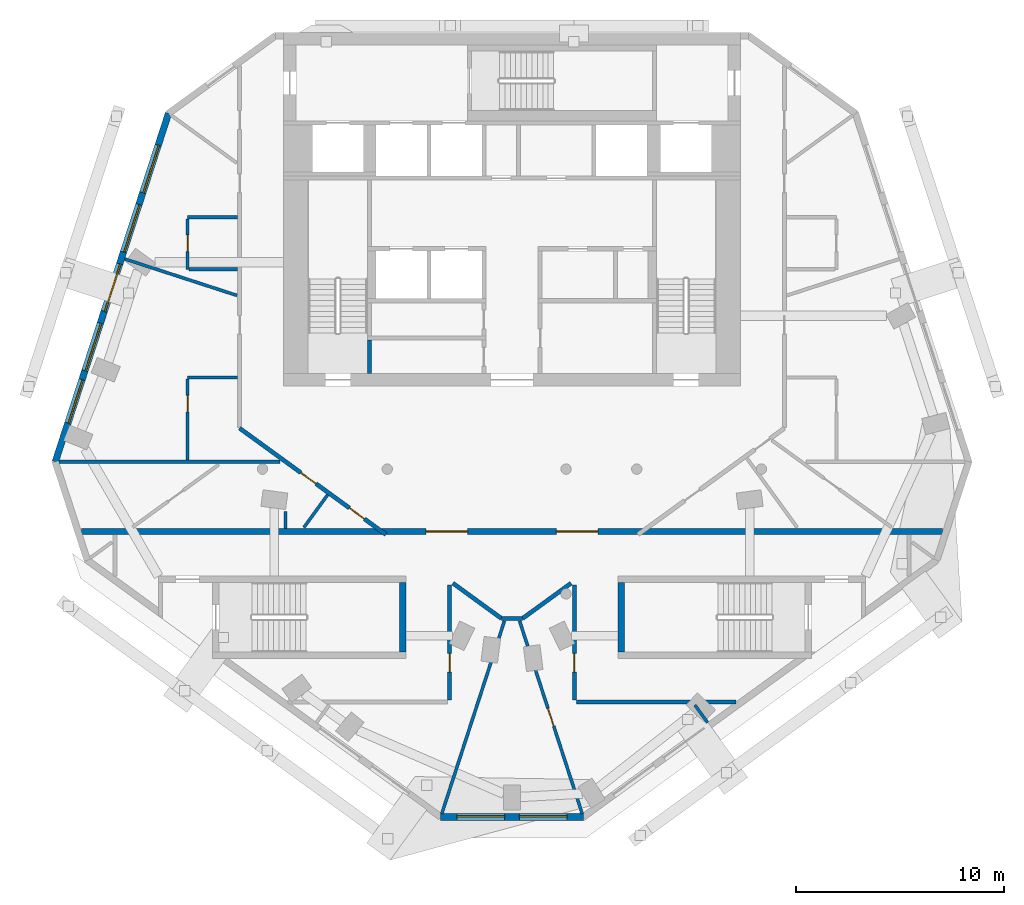
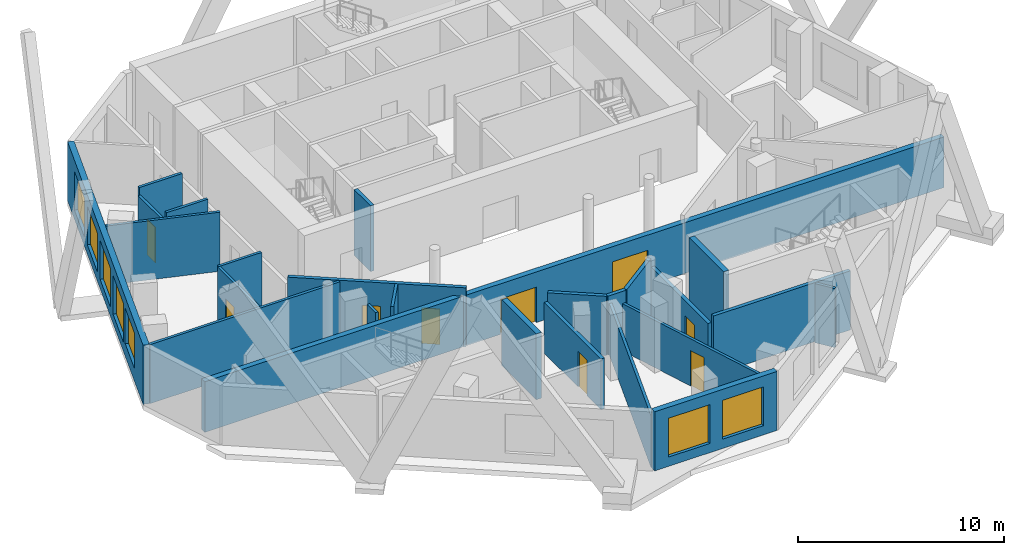
# One storey, part 3 of 8: 25 walls, 9 doors, 7 windows, 16 openings.
"""IFC4 building model written with IfcOpenShell, lengths in metres."""

from ifc_helpers import new_model, si_unit, direction, frame, frame_2d, origin, place, context, subcontext, project, spatial, rectangle, extrude, material, layer, layer_set, type_object, element, fill, save


model = new_model("IFC4")

# Units and contexts
model_context = context("Model", 3, precision=1e-05, world=origin(), true_north=direction((0.0, 1.0)))
body_context = subcontext(model_context, "Body", "Model", "MODEL_VIEW")
ifc_project = project(units=[si_unit("LENGTHUNIT", "METRE"), si_unit("AREAUNIT", "SQUARE_METRE"), si_unit("VOLUMEUNIT", "CUBIC_METRE"), si_unit("PLANEANGLEUNIT", "RADIAN"), si_unit("MASSUNIT", "GRAM", prefix="KILO")], contexts=[model_context])

# Site, building, storey
site_placement = place(None, origin())
site = spatial("IfcSite", under=ifc_project, at=site_placement, CompositionType="ELEMENT")
building_placement = place(site_placement, origin())
building = spatial("IfcBuilding", under=site, at=building_placement, Name="White Candle Pilgrim Tower", CompositionType="ELEMENT")
storey_placement = place(building_placement, frame((0.0, 0.0, 317.800048828125)))
storey = spatial("IfcBuildingStorey", under=building, at=storey_placement, Name="L75", CompositionType="ELEMENT", Elevation=317.800048828125)

# Wall, openings, doors
ifc_material_1 = material(Name="Gypsum board on steel studs", Category="steel")
ifc_layer_1 = layer(ifc_material_1, 0.199951171875)
ifc_layer_set_1 = layer_set([ifc_layer_1], Name="Corridor wall 200 mm EI 45")
wall_type_1 = type_object("IfcWallType", Name="Corridor wall 200 mm EI 45", PredefinedType="PARTITIONING", material=ifc_layer_set_1)
wall_1_placement = place(storey_placement, frame((63.94287109375, 63.85009765625, 0.0), z_axis=(0.0, 0.0, 1.0), x_axis=(-0.809024626779, 0.587774747046, 0.0)))
wall_1 = element("IfcWall", 1, at=wall_1_placement, inside=storey, type_object=wall_type_1, Name="WL-L75-P002", PredefinedType="PARTITIONING", context=body_context, shape_type="SweptSolid", body=[
    extrude(rectangle(XDim=8.705322265625, YDim=0.199951171875, at=frame_2d((4.3525390625, 0.0))), origin(), (0.0, 0.0, 1.0), 3.5),
])
opening_1_placement = place(wall_1_placement, frame((4.167236328125, 0.0, 0.0)))
opening_1 = element("IfcOpeningElement", 2, at=opening_1_placement, cuts=wall_1, Name="Opening T23-117", PredefinedType="OPENING", context=body_context, shape_type="SweptSolid", body=[
    extrude(rectangle(XDim=0.89990234375, YDim=2.10009765625, at=frame_2d((0.449951171875, 1.050048828125))), frame((0.0, 0.10986328125, 0.0), z_axis=(0.0, -1.0, 0.0), x_axis=(1.0, 0.0, 0.0)), (0.0, 0.0, 1.0), 0.219970703125),
])
opening_2_placement = place(wall_1_placement, frame((1.27880859375, 0.0, 0.0)))
opening_2 = element("IfcOpeningElement", 3, at=opening_2_placement, cuts=wall_1, Name="Opening T23-119", PredefinedType="OPENING", context=body_context, shape_type="SweptSolid", body=[
    extrude(rectangle(XDim=0.89990234375, YDim=2.10009765625, at=frame_2d((0.449951171875, 1.050048828125))), frame((0.0, 0.10986328125, 0.0), z_axis=(0.0, -1.0, 0.0), x_axis=(1.0, 0.0, 0.0)), (0.0, 0.0, 1.0), 0.219970703125),
])
ifc_material_2 = material(Name="Steel door leaf", Category="steel")
door_type_1 = type_object("IfcDoorType", Name="Fire door 900 x 2100 EI 30", OperationType="NOTDEFINED", PredefinedType="DOOR", material=ifc_material_2)
door_1_placement = place(opening_1_placement, origin())
door_1 = element("IfcDoor", 4, at=door_1_placement, inside=storey, type_object=door_type_1, Name="Door T23-117", OperationType="SINGLE_SWING_LEFT", OverallHeight=2.10009765625, OverallWidth=0.89990234375, PredefinedType="DOOR", context=body_context, shape_type="SweptSolid", body=[
    extrude(rectangle(XDim=0.89990234375, YDim=2.10009765625, at=frame_2d((0.449951171875, 1.050048828125))), frame((0.0, 0.02490234375, 0.0), z_axis=(0.0, -1.0, 0.0), x_axis=(1.0, 0.0, 0.0)), (0.0, 0.0, 1.0), 0.050048828125),
])
fill(opening_1, door_1)
door_2_placement = place(opening_2_placement, origin())
door_2 = element("IfcDoor", 5, at=door_2_placement, inside=storey, type_object=door_type_1, Name="Door T23-119", OperationType="SINGLE_SWING_LEFT", OverallHeight=2.10009765625, OverallWidth=0.89990234375, PredefinedType="DOOR", context=body_context, shape_type="SweptSolid", body=[
    extrude(rectangle(XDim=0.89990234375, YDim=2.10009765625, at=frame_2d((0.449951171875, 1.050048828125))), frame((0.0, 0.02490234375, 0.0), z_axis=(0.0, -1.0, 0.0), x_axis=(1.0, 0.0, 0.0)), (0.0, 0.0, 1.0), 0.050048828125),
])
fill(opening_2, door_2)

# Wall
wall_2_placement = place(storey_placement, frame((80.765380859375, 55.800048828125, 0.0), z_axis=(0.0, 0.0, 1.0), x_axis=(-1.0, 0.0, 0.0)))
element("IfcWall", 6, at=wall_2_placement, inside=storey, type_object=wall_type_1, Name="WL-L75-P007", PredefinedType="PARTITIONING", context=body_context, shape_type="SweptSolid", body=[
    extrude(rectangle(XDim=7.665283203125, YDim=0.199951171875, at=frame_2d((3.83251953125, 0.0))), origin(), (0.0, 0.0, 1.0), 3.5),
])

# Wall, opening, door
wall_3_placement = place(storey_placement, frame((73.0, 55.89990234375, 0.0), z_axis=(0.0, 0.0, 1.0), x_axis=(0.0, 1.0, 0.0)))
wall_3 = element("IfcWall", 7, at=wall_3_placement, inside=storey, type_object=wall_type_1, Name="WL-L75-P008", PredefinedType="PARTITIONING", context=body_context, shape_type="SweptSolid", body=[
    extrude(rectangle(XDim=5.53271484375, YDim=0.199951171875, at=frame_2d((2.766357421875, 0.0))), origin(), (0.0, 0.0, 1.0), 3.0),
])
opening_3_placement = place(wall_3_placement, frame((1.339599609375, 0.0, 0.0)))
opening_3 = element("IfcOpeningElement", 8, at=opening_3_placement, cuts=wall_3, Name="Opening T23-104", PredefinedType="OPENING", context=body_context, shape_type="SweptSolid", body=[
    extrude(rectangle(XDim=0.89990234375, YDim=2.10009765625, at=frame_2d((0.449951171875, 1.050048828125))), frame((0.0, 0.10986328125, 0.0), z_axis=(0.0, -1.0, 0.0), x_axis=(1.0, 0.0, 0.0)), (0.0, 0.0, 1.0), 0.219970703125),
])
door_3_placement = place(opening_3_placement, origin())
door_3 = element("IfcDoor", 9, at=door_3_placement, inside=storey, type_object=door_type_1, Name="Door T23-104", OperationType="SINGLE_SWING_RIGHT", OverallHeight=2.10009765625, OverallWidth=0.89990234375, PredefinedType="DOOR", context=body_context, shape_type="SweptSolid", body=[
    extrude(rectangle(XDim=0.89990234375, YDim=2.10009765625, at=frame_2d((0.449951171875, 1.050048828125))), frame((0.0, 0.02490234375, 0.0), z_axis=(0.0, -1.0, 0.0), x_axis=(1.0, 0.0, 0.0)), (0.0, 0.0, 1.0), 0.050048828125),
])
fill(opening_3, door_3)

# Walls
wall_4_placement = place(storey_placement, frame((72.84130859375, 61.513671875, 0.0), z_axis=(0.0, 0.0, 1.0), x_axis=(-0.809007107695, -0.5877988599, 0.0)))
element("IfcWall", 10, at=wall_4_placement, inside=storey, type_object=wall_type_1, Name="WL-L75-P009", PredefinedType="PARTITIONING", context=body_context, shape_type="SweptSolid", body=[
    extrude(rectangle(XDim=2.881591796875, YDim=0.199951171875, at=frame_2d((1.44091796875, 0.0))), origin(), (0.0, 0.0, 1.0), 3.5),
])
wall_5_placement = place(storey_placement, frame((70.510009765625, 59.81982421875, 0.0), z_axis=(0.0, 0.0, 1.0), x_axis=(-1.0, 0.0, 0.0)))
element("IfcWall", 11, at=wall_5_placement, inside=storey, type_object=wall_type_1, Name="WL-L75-P010", PredefinedType="PARTITIONING", context=body_context, shape_type="SweptSolid", body=[
    extrude(rectangle(XDim=1.02001953125, YDim=0.199951171875, at=frame_2d((0.510009765625, 0.0))), origin(), (0.0, 0.0, 1.0), 3.5),
])
wall_6_placement = place(storey_placement, frame((69.489990234375, 59.81982421875, 0.0), z_axis=(0.0, 0.0, 1.0), x_axis=(-0.809007107695, 0.5877988599, 0.0)))
element("IfcWall", 12, at=wall_6_placement, inside=storey, type_object=wall_type_1, Name="WL-L75-P011", PredefinedType="PARTITIONING", context=body_context, shape_type="SweptSolid", body=[
    extrude(rectangle(XDim=2.881591796875, YDim=0.199951171875, at=frame_2d((1.44091796875, 0.0))), origin(), (0.0, 0.0, 1.0), 3.5),
])

# Wall, opening, door
wall_7_placement = place(storey_placement, frame((67.0, 61.4326171875, 0.0), z_axis=(0.0, 0.0, 1.0), x_axis=(0.0, -1.0, 0.0)))
wall_7 = element("IfcWall", 13, at=wall_7_placement, inside=storey, type_object=wall_type_1, Name="WL-L75-P012", PredefinedType="PARTITIONING", context=body_context, shape_type="SweptSolid", body=[
    extrude(rectangle(XDim=5.53271484375, YDim=0.199951171875, at=frame_2d((2.766357421875, 0.0))), origin(), (0.0, 0.0, 1.0), 3.0),
])
opening_4_placement = place(wall_7_placement, frame((3.293212890625, 0.0, 0.0)))
opening_4 = element("IfcOpeningElement", 14, at=opening_4_placement, cuts=wall_7, Name="Opening T23-103", PredefinedType="OPENING", context=body_context, shape_type="SweptSolid", body=[
    extrude(rectangle(XDim=0.89990234375, YDim=2.10009765625, at=frame_2d((0.449951171875, 1.050048828125))), frame((0.0, 0.10986328125, 0.0), z_axis=(0.0, -1.0, 0.0), x_axis=(1.0, 0.0, 0.0)), (0.0, 0.0, 1.0), 0.219970703125),
])
door_4_placement = place(opening_4_placement, origin())
door_4 = element("IfcDoor", 15, at=door_4_placement, inside=storey, type_object=door_type_1, Name="Door T23-103", OperationType="SINGLE_SWING_LEFT", OverallHeight=2.10009765625, OverallWidth=0.89990234375, PredefinedType="DOOR", context=body_context, shape_type="SweptSolid", body=[
    extrude(rectangle(XDim=0.89990234375, YDim=2.10009765625, at=frame_2d((0.449951171875, 1.050048828125))), frame((0.0, 0.02490234375, 0.0), z_axis=(0.0, -1.0, 0.0), x_axis=(1.0, 0.0, 0.0)), (0.0, 0.0, 1.0), 0.050048828125),
])
fill(opening_4, door_4)

# Wall, openings, windows
ifc_material_3 = material(Name="Precast concrete C40/50", Category="concrete")
ifc_layer_2 = layer(ifc_material_3, 0.320068359375)
ifc_layer_set_2 = layer_set([ifc_layer_2], Name="Facade wall EW1 precast concrete C40/50 pier wall with timber-lined reveals")
wall_type_2 = type_object("IfcWallType", Name="Facade wall EW1 precast concrete C40/50 pier wall with timber-lined reveals", PredefinedType="SOLIDWALL", material=ifc_layer_set_2)
wall_8_placement = place(storey_placement, frame((66.572998046875, 50.270751953125, 0.0), z_axis=(0.0, 0.0, 1.0), x_axis=(1.0, 0.0, 0.0)))
wall_8 = element("IfcWall", 16, at=wall_8_placement, inside=storey, type_object=wall_type_2, Name="Facade wall L75 S chamfer", PredefinedType="SOLIDWALL", context=body_context, shape_type="SweptSolid", body=[
    extrude(rectangle(XDim=6.85400390625, YDim=0.320068359375, at=frame_2d((3.427001953125, 0.0))), origin(), (0.0, 0.0, 1.0), 3.5),
])
opening_5_placement = place(wall_8_placement, frame((0.777099609375, 0.0, 0.550048828125)))
opening_5 = element("IfcOpeningElement", 17, at=opening_5_placement, cuts=wall_8, Name="Opening W6", PredefinedType="OPENING", context=body_context, shape_type="SweptSolid", body=[
    extrude(rectangle(XDim=2.300048828125, YDim=2.300048828125, at=frame_2d((1.14990234375, 1.14990234375))), frame((0.0, 0.169921875, 0.0), z_axis=(0.0, -1.0, 0.0), x_axis=(1.0, 0.0, 0.0)), (0.0, 0.0, 1.0), 0.340087890625),
])
opening_6_placement = place(wall_8_placement, frame((3.777099609375, 0.0, 0.550048828125)))
opening_6 = element("IfcOpeningElement", 18, at=opening_6_placement, cuts=wall_8, Name="Opening W6", PredefinedType="OPENING", context=body_context, shape_type="SweptSolid", body=[
    extrude(rectangle(XDim=2.300048828125, YDim=2.300048828125, at=frame_2d((1.14990234375, 1.14990234375))), frame((0.0, 0.169921875, 0.0), z_axis=(0.0, -1.0, 0.0), x_axis=(1.0, 0.0, 0.0)), (0.0, 0.0, 1.0), 0.340087890625),
])
ifc_material_4 = material(Name="Timber frame with triple glazing", Category="wood")
window_type_1 = type_object("IfcWindowType", Name="Window W6 2300x2300 timber frame triple glazing", PartitioningType="SINGLE_PANEL", PredefinedType="WINDOW", material=ifc_material_4)
window_1_placement = place(opening_5_placement, origin())
window_1 = element("IfcWindow", 19, at=window_1_placement, inside=storey, type_object=window_type_1, Name="Window W6 L75 S chamfer 1", OverallHeight=2.300048828125, OverallWidth=2.300048828125, PartitioningType="SINGLE_PANEL", PredefinedType="WINDOW", context=body_context, shape_type="SweptSolid", body=[
    extrude(rectangle(XDim=2.300048828125, YDim=2.300048828125, at=frame_2d((1.14990234375, 1.14990234375))), frame((0.0, 0.070068359375, 0.0), z_axis=(0.0, -1.0, 0.0), x_axis=(1.0, 0.0, 0.0)), (0.0, 0.0, 1.0), 0.06005859375),
])
fill(opening_5, window_1)
window_2_placement = place(opening_6_placement, origin())
window_2 = element("IfcWindow", 20, at=window_2_placement, inside=storey, type_object=window_type_1, Name="Window W6 L75 S chamfer 2", OverallHeight=2.300048828125, OverallWidth=2.300048828125, PartitioningType="SINGLE_PANEL", PredefinedType="WINDOW", context=body_context, shape_type="SweptSolid", body=[
    extrude(rectangle(XDim=2.300048828125, YDim=2.300048828125, at=frame_2d((1.14990234375, 1.14990234375))), frame((0.0, 0.070068359375, 0.0), z_axis=(0.0, -1.0, 0.0), x_axis=(1.0, 0.0, 0.0)), (0.0, 0.0, 1.0), 0.06005859375),
])
fill(opening_6, window_2)

wall_9_placement = place(storey_placement, frame((53.4794921875, 84.10888671875, 0.0), z_axis=(0.0, 0.0, 1.0), x_axis=(-0.309018707068, -0.951055959806, 0.0)))
wall_9 = element("IfcWall", 21, at=wall_9_placement, inside=storey, type_object=wall_type_2, Name="Facade wall L75 WNW", PredefinedType="SOLIDWALL", context=body_context, shape_type="SweptSolid", body=[
    extrude(rectangle(XDim=17.618896484375, YDim=0.320068359375, at=frame_2d((8.8095703125, 0.0))), origin(), (0.0, 0.0, 1.0), 3.5),
])
opening_7_placement = place(wall_9_placement, frame((1.609375, 0.0, 0.550048828125)))
opening_7 = element("IfcOpeningElement", 22, at=opening_7_placement, cuts=wall_9, Name="Opening W5", PredefinedType="OPENING", context=body_context, shape_type="SweptSolid", body=[
    extrude(rectangle(XDim=2.39990234375, YDim=2.300048828125, at=frame_2d((1.199951171875, 1.14990234375))), frame((0.0, 0.169921875, 0.0), z_axis=(0.0, -1.0, 0.0), x_axis=(1.0, 0.0, 0.0)), (0.0, 0.0, 1.0), 0.340087890625),
])
opening_8_placement = place(wall_9_placement, frame((4.609375, 0.0, 0.550048828125)))
opening_8 = element("IfcOpeningElement", 23, at=opening_8_placement, cuts=wall_9, Name="Opening W5", PredefinedType="OPENING", context=body_context, shape_type="SweptSolid", body=[
    extrude(rectangle(XDim=2.39990234375, YDim=2.300048828125, at=frame_2d((1.199951171875, 1.14990234375))), frame((0.0, 0.169921875, 0.0), z_axis=(0.0, -1.0, 0.0), x_axis=(1.0, 0.0, 0.0)), (0.0, 0.0, 1.0), 0.340087890625),
])
opening_9_placement = place(wall_9_placement, frame((7.609375, 0.0, 0.550048828125)))
opening_9 = element("IfcOpeningElement", 24, at=opening_9_placement, cuts=wall_9, Name="Opening W5", PredefinedType="OPENING", context=body_context, shape_type="SweptSolid", body=[
    extrude(rectangle(XDim=2.39990234375, YDim=2.300048828125, at=frame_2d((1.199951171875, 1.14990234375))), frame((0.0, 0.169921875, 0.0), z_axis=(0.0, -1.0, 0.0), x_axis=(1.0, 0.0, 0.0)), (0.0, 0.0, 1.0), 0.340087890625),
])
opening_10_placement = place(wall_9_placement, frame((10.609375, 0.0, 0.550048828125)))
opening_10 = element("IfcOpeningElement", 25, at=opening_10_placement, cuts=wall_9, Name="Opening W5", PredefinedType="OPENING", context=body_context, shape_type="SweptSolid", body=[
    extrude(rectangle(XDim=2.39990234375, YDim=2.300048828125, at=frame_2d((1.199951171875, 1.14990234375))), frame((0.0, 0.169921875, 0.0), z_axis=(0.0, -1.0, 0.0), x_axis=(1.0, 0.0, 0.0)), (0.0, 0.0, 1.0), 0.340087890625),
])
opening_11_placement = place(wall_9_placement, frame((13.45947265625, 0.0, 0.75)))
opening_11 = element("IfcOpeningElement", 26, at=opening_11_placement, cuts=wall_9, Name="Opening W4", PredefinedType="OPENING", context=body_context, shape_type="SweptSolid", body=[
    extrude(rectangle(XDim=2.199951171875, YDim=2.10009765625, at=frame_2d((1.10009765625, 1.050048828125))), frame((0.0, 0.169921875, 0.0), z_axis=(0.0, -1.0, 0.0), x_axis=(1.0, 0.0, 0.0)), (0.0, 0.0, 1.0), 0.340087890625),
])
window_type_2 = type_object("IfcWindowType", Name="Window W4 2200x2100 timber frame triple glazing", PartitioningType="SINGLE_PANEL", PredefinedType="WINDOW", material=ifc_material_4)
window_3_placement = place(opening_11_placement, origin())
window_3 = element("IfcWindow", 27, at=window_3_placement, inside=storey, type_object=window_type_2, Name="Window W4 L75 WNW 5", OverallHeight=2.10009765625, OverallWidth=2.199951171875, PartitioningType="SINGLE_PANEL", PredefinedType="WINDOW", context=body_context, shape_type="SweptSolid", body=[
    extrude(rectangle(XDim=2.199951171875, YDim=2.10009765625, at=frame_2d((1.10009765625, 1.050048828125))), frame((0.0, 0.070068359375, 0.0), z_axis=(0.0, -1.0, 0.0), x_axis=(1.0, 0.0, 0.0)), (0.0, 0.0, 1.0), 0.06005859375),
])
fill(opening_11, window_3)
window_type_3 = type_object("IfcWindowType", Name="Window W5 2400x2300 timber frame triple glazing", PartitioningType="SINGLE_PANEL", PredefinedType="WINDOW", material=ifc_material_4)
window_4_placement = place(opening_7_placement, origin())
window_4 = element("IfcWindow", 28, at=window_4_placement, inside=storey, type_object=window_type_3, Name="Window W5 L75 WNW 1", OverallHeight=2.300048828125, OverallWidth=2.39990234375, PartitioningType="SINGLE_PANEL", PredefinedType="WINDOW", context=body_context, shape_type="SweptSolid", body=[
    extrude(rectangle(XDim=2.39990234375, YDim=2.300048828125, at=frame_2d((1.199951171875, 1.14990234375))), frame((0.0, 0.070068359375, 0.0), z_axis=(0.0, -1.0, 0.0), x_axis=(1.0, 0.0, 0.0)), (0.0, 0.0, 1.0), 0.06005859375),
])
fill(opening_7, window_4)
window_5_placement = place(opening_8_placement, origin())
window_5 = element("IfcWindow", 29, at=window_5_placement, inside=storey, type_object=window_type_3, Name="Window W5 L75 WNW 2", OverallHeight=2.300048828125, OverallWidth=2.39990234375, PartitioningType="SINGLE_PANEL", PredefinedType="WINDOW", context=body_context, shape_type="SweptSolid", body=[
    extrude(rectangle(XDim=2.39990234375, YDim=2.300048828125, at=frame_2d((1.199951171875, 1.14990234375))), frame((0.0, 0.070068359375, 0.0), z_axis=(0.0, -1.0, 0.0), x_axis=(1.0, 0.0, 0.0)), (0.0, 0.0, 1.0), 0.06005859375),
])
fill(opening_8, window_5)
window_6_placement = place(opening_9_placement, origin())
window_6 = element("IfcWindow", 30, at=window_6_placement, inside=storey, type_object=window_type_3, Name="Window W5 L75 WNW 3", OverallHeight=2.300048828125, OverallWidth=2.39990234375, PartitioningType="SINGLE_PANEL", PredefinedType="WINDOW", context=body_context, shape_type="SweptSolid", body=[
    extrude(rectangle(XDim=2.39990234375, YDim=2.300048828125, at=frame_2d((1.199951171875, 1.14990234375))), frame((0.0, 0.070068359375, 0.0), z_axis=(0.0, -1.0, 0.0), x_axis=(1.0, 0.0, 0.0)), (0.0, 0.0, 1.0), 0.06005859375),
])
fill(opening_9, window_6)
window_7_placement = place(opening_10_placement, origin())
window_7 = element("IfcWindow", 31, at=window_7_placement, inside=storey, type_object=window_type_3, Name="Window W5 L75 WNW 4", OverallHeight=2.300048828125, OverallWidth=2.39990234375, PartitioningType="SINGLE_PANEL", PredefinedType="WINDOW", context=body_context, shape_type="SweptSolid", body=[
    extrude(rectangle(XDim=2.39990234375, YDim=2.300048828125, at=frame_2d((1.199951171875, 1.14990234375))), frame((0.0, 0.070068359375, 0.0), z_axis=(0.0, -1.0, 0.0), x_axis=(1.0, 0.0, 0.0)), (0.0, 0.0, 1.0), 0.06005859375),
])
fill(opening_10, window_7)

# Wall, openings, doors
ifc_material_5 = material(Name="Aerated concrete block", Category="concrete")
ifc_layer_3 = layer(ifc_material_5, 0.300048828125)
ifc_layer_set_3 = layer_set([ifc_layer_3], Name="Fire wall 300 mm REI 240")
wall_type_3 = type_object("IfcWallType", Name="Fire wall 300 mm REI 240", PredefinedType="PARTITIONING", material=ifc_layer_set_3)
wall_10_placement = place(storey_placement, frame((49.29248046875, 64.0, 0.0), z_axis=(0.0, 0.0, 1.0), x_axis=(1.0, 0.0, 0.0)))
wall_10 = element("IfcWall", 32, at=wall_10_placement, inside=storey, type_object=wall_type_3, Name="WL-L75-P001", PredefinedType="PARTITIONING", context=body_context, shape_type="SweptSolid", body=[
    extrude(rectangle(XDim=41.4150390625, YDim=0.300048828125, at=frame_2d((20.70751953125, 0.0))), origin(), (0.0, 0.0, 1.0), 3.0),
])
opening_12_placement = place(wall_10_placement, frame((16.57568359375, 0.0, 0.0)))
opening_12 = element("IfcOpeningElement", 33, at=opening_12_placement, cuts=wall_10, Name="Opening T23-107", PredefinedType="OPENING", context=body_context, shape_type="SweptSolid", body=[
    extrude(rectangle(XDim=2.0, YDim=2.10009765625, at=frame_2d((1.0, 1.050048828125))), frame((0.0, 0.159912109375, 0.0), z_axis=(0.0, -1.0, 0.0), x_axis=(1.0, 0.0, 0.0)), (0.0, 0.0, 1.0), 0.320068359375),
])
opening_13_placement = place(wall_10_placement, frame((22.83935546875, 0.0, 0.0)))
opening_13 = element("IfcOpeningElement", 34, at=opening_13_placement, cuts=wall_10, Name="Opening T23-108", PredefinedType="OPENING", context=body_context, shape_type="SweptSolid", body=[
    extrude(rectangle(XDim=2.0, YDim=2.10009765625, at=frame_2d((1.0, 1.050048828125))), frame((0.0, 0.159912109375, 0.0), z_axis=(0.0, -1.0, 0.0), x_axis=(1.0, 0.0, 0.0)), (0.0, 0.0, 1.0), 0.320068359375),
])
door_type_2 = type_object("IfcDoorType", Name="Fire door 2000 x 2100 EI 60", OperationType="NOTDEFINED", PredefinedType="DOOR", material=ifc_material_2)
door_5_placement = place(opening_12_placement, origin())
door_5 = element("IfcDoor", 35, at=door_5_placement, inside=storey, type_object=door_type_2, Name="Door T23-107", OperationType="DOUBLE_DOOR_SINGLE_SWING", OverallHeight=2.10009765625, OverallWidth=2.0, PredefinedType="DOOR", context=body_context, shape_type="SweptSolid", body=[
    extrude(rectangle(XDim=2.0, YDim=2.10009765625, at=frame_2d((1.0, 1.050048828125))), frame((0.0, 0.02490234375, 0.0), z_axis=(0.0, -1.0, 0.0), x_axis=(1.0, 0.0, 0.0)), (0.0, 0.0, 1.0), 0.050048828125),
])
fill(opening_12, door_5)
door_6_placement = place(opening_13_placement, origin())
door_6 = element("IfcDoor", 36, at=door_6_placement, inside=storey, type_object=door_type_2, Name="Door T23-108", OperationType="DOUBLE_DOOR_SINGLE_SWING", OverallHeight=2.10009765625, OverallWidth=2.0, PredefinedType="DOOR", context=body_context, shape_type="SweptSolid", body=[
    extrude(rectangle(XDim=2.0, YDim=2.10009765625, at=frame_2d((1.0, 1.050048828125))), frame((0.0, 0.02490234375, 0.0), z_axis=(0.0, -1.0, 0.0), x_axis=(1.0, 0.0, 0.0)), (0.0, 0.0, 1.0), 0.050048828125),
])
fill(opening_13, door_6)

# Walls
ifc_layer_4 = layer(ifc_material_1, 0.14990234375)
ifc_layer_set_4 = layer_set([ifc_layer_4], Name="Partition 150 mm EI 60")
wall_type_4 = type_object("IfcWallType", Name="Partition 150 mm EI 60", PredefinedType="PARTITIONING", material=ifc_layer_set_4)
wall_11_placement = place(storey_placement, frame((48.203125, 67.352294921875, 0.0), z_axis=(0.0, 0.0, 1.0), x_axis=(1.0, 0.0, 0.0)))
element("IfcWall", 37, at=wall_11_placement, inside=storey, type_object=wall_type_4, Name="WL-L75-P016", PredefinedType="PARTITIONING", context=body_context, shape_type="SweptSolid", body=[
    extrude(rectangle(XDim=10.64599609375, YDim=0.14990234375, at=frame_2d((5.322998046875, 0.0))), origin(), (0.0, 0.0, 1.0), 3.5),
])
wall_12_placement = place(storey_placement, frame((66.625, 50.4306640625, 0.0), z_axis=(0.0, 0.0, 1.0), x_axis=(0.309016945626, 0.951056532135, 0.0)))
element("IfcWall", 38, at=wall_12_placement, inside=storey, type_object=wall_type_4, Name="WL-L75-P019", PredefinedType="PARTITIONING", context=body_context, shape_type="SweptSolid", body=[
    extrude(rectangle(XDim=9.742919921875, YDim=0.14990234375, at=frame_2d((4.87158203125, 0.0))), origin(), (0.0, 0.0, 1.0), 3.050048828125),
])

# Wall, opening, door
wall_13_placement = place(storey_placement, frame((73.375, 50.4306640625, 0.0), z_axis=(0.0, 0.0, 1.0), x_axis=(-0.309016945626, 0.951056532135, 0.0)))
wall_13 = element("IfcWall", 39, at=wall_13_placement, inside=storey, type_object=wall_type_4, Name="WL-L75-P020", PredefinedType="PARTITIONING", context=body_context, shape_type="SweptSolid", body=[
    extrude(rectangle(XDim=9.742919921875, YDim=0.14990234375, at=frame_2d((4.87158203125, 0.0))), origin(), (0.0, 0.0, 1.0), 2.800048828125),
])
opening_14_placement = place(wall_13_placement, frame((4.42138671875, 0.0, 0.0)))
opening_14 = element("IfcOpeningElement", 40, at=opening_14_placement, cuts=wall_13, Name="Opening T23-109", PredefinedType="OPENING", context=body_context, shape_type="SweptSolid", body=[
    extrude(rectangle(XDim=0.89990234375, YDim=2.10009765625, at=frame_2d((0.449951171875, 1.050048828125))), frame((0.0, 0.0849609375, 0.0), z_axis=(0.0, -1.0, 0.0), x_axis=(1.0, 0.0, 0.0)), (0.0, 0.0, 1.0), 0.169921875),
])
door_7_placement = place(opening_14_placement, origin())
door_7 = element("IfcDoor", 41, at=door_7_placement, inside=storey, type_object=door_type_1, Name="Door T23-109", OperationType="SINGLE_SWING_LEFT", OverallHeight=2.10009765625, OverallWidth=0.89990234375, PredefinedType="DOOR", context=body_context, shape_type="SweptSolid", body=[
    extrude(rectangle(XDim=0.89990234375, YDim=2.10009765625, at=frame_2d((0.449951171875, 1.050048828125))), frame((0.0, 0.02490234375, 0.0), z_axis=(0.0, -1.0, 0.0), x_axis=(1.0, 0.0, 0.0)), (0.0, 0.0, 1.0), 0.050048828125),
])
fill(opening_14, door_7)

# Walls
wall_14_placement = place(storey_placement, frame((51.372802734375, 77.107666015625, 0.0), z_axis=(0.0, 0.0, 1.0), x_axis=(0.951057747163, -0.309013206126, 0.0)))
element("IfcWall", 42, at=wall_14_placement, inside=storey, type_object=wall_type_4, Name="WL-L75-P025", PredefinedType="PARTITIONING", context=body_context, shape_type="SweptSolid", body=[
    extrude(rectangle(XDim=5.68212890625, YDim=0.14990234375, at=frame_2d((2.841064453125, 0.0))), origin(), (0.0, 0.0, 1.0), 3.5),
])
wall_15_placement = place(storey_placement, frame((56.800048828125, 79.11181640625, 0.0), z_axis=(0.0, 0.0, 1.0), x_axis=(-1.0, 0.0, 0.0)))
element("IfcWall", 43, at=wall_15_placement, inside=storey, type_object=wall_type_4, Name="WL-L75-P026", PredefinedType="PARTITIONING", context=body_context, shape_type="SweptSolid", body=[
    extrude(rectangle(XDim=2.400146484375, YDim=0.14990234375, at=frame_2d((1.2001953125, 0.0))), origin(), (0.0, 0.0, 1.0), 3.5),
])

# Wall, opening, door
wall_16_placement = place(storey_placement, frame((54.39990234375, 76.61181640625, 0.0), z_axis=(0.0, 0.0, 1.0), x_axis=(0.0, 1.0, 0.0)))
wall_16 = element("IfcWall", 44, at=wall_16_placement, inside=storey, type_object=wall_type_4, Name="WL-L75-P027", PredefinedType="PARTITIONING", context=body_context, shape_type="SweptSolid", body=[
    extrude(rectangle(XDim=2.425048828125, YDim=0.14990234375, at=frame_2d((1.21240234375, 0.0))), origin(), (0.0, 0.0, 1.0), 3.050048828125),
])
opening_15_placement = place(wall_16_placement, frame((0.85009765625, 0.0, 0.0)))
opening_15 = element("IfcOpeningElement", 45, at=opening_15_placement, cuts=wall_16, Name="Opening T23-101", PredefinedType="OPENING", context=body_context, shape_type="SweptSolid", body=[
    extrude(rectangle(XDim=0.800048828125, YDim=2.10009765625, at=frame_2d((0.39990234375, 1.050048828125))), frame((0.0, 0.0849609375, 0.0), z_axis=(0.0, -1.0, 0.0), x_axis=(1.0, 0.0, 0.0)), (0.0, 0.0, 1.0), 0.169921875),
])
door_type_3 = type_object("IfcDoorType", Name="Fire door 800 x 2100 EI 30", OperationType="NOTDEFINED", PredefinedType="DOOR", material=ifc_material_2)
door_8_placement = place(opening_15_placement, origin())
door_8 = element("IfcDoor", 46, at=door_8_placement, inside=storey, type_object=door_type_3, Name="Door T23-101", OperationType="SINGLE_SWING_LEFT", OverallHeight=2.10009765625, OverallWidth=0.800048828125, PredefinedType="DOOR", context=body_context, shape_type="SweptSolid", body=[
    extrude(rectangle(XDim=0.800048828125, YDim=2.10009765625, at=frame_2d((0.39990234375, 1.050048828125))), frame((0.0, 0.02490234375, 0.0), z_axis=(0.0, -1.0, 0.0), x_axis=(1.0, 0.0, 0.0)), (0.0, 0.0, 1.0), 0.050048828125),
])
fill(opening_15, door_8)

# Walls
wall_17_placement = place(storey_placement, frame((56.800048828125, 76.61181640625, 0.0), z_axis=(0.0, 0.0, 1.0), x_axis=(-1.0, 0.0, 0.0)))
element("IfcWall", 47, at=wall_17_placement, inside=storey, type_object=wall_type_4, Name="WL-L75-P028", PredefinedType="PARTITIONING", context=body_context, shape_type="SweptSolid", body=[
    extrude(rectangle(XDim=2.324951171875, YDim=0.14990234375, at=frame_2d((1.16259765625, 0.0))), origin(), (0.0, 0.0, 1.0), 3.5),
])
wall_18_placement = place(storey_placement, frame((56.800048828125, 71.39990234375, 0.0), z_axis=(0.0, 0.0, 1.0), x_axis=(-1.0, 0.0, 0.0)))
element("IfcWall", 48, at=wall_18_placement, inside=storey, type_object=wall_type_4, Name="WL-L75-P029", PredefinedType="PARTITIONING", context=body_context, shape_type="SweptSolid", body=[
    extrude(rectangle(XDim=2.400146484375, YDim=0.14990234375, at=frame_2d((1.2001953125, 0.0))), origin(), (0.0, 0.0, 1.0), 3.5),
])

# Wall, opening, door
wall_19_placement = place(storey_placement, frame((54.39990234375, 67.427490234375, 0.0), z_axis=(0.0, 0.0, 1.0), x_axis=(0.0, 1.0, 0.0)))
wall_19 = element("IfcWall", 49, at=wall_19_placement, inside=storey, type_object=wall_type_4, Name="WL-L75-P030", PredefinedType="PARTITIONING", context=body_context, shape_type="SweptSolid", body=[
    extrude(rectangle(XDim=3.8974609375, YDim=0.14990234375, at=frame_2d((1.94873046875, 0.0))), origin(), (0.0, 0.0, 1.0), 3.5),
])
opening_16_placement = place(wall_19_placement, frame((2.322509765625, 0.0, 0.0)))
opening_16 = element("IfcOpeningElement", 50, at=opening_16_placement, cuts=wall_19, Name="Opening T23-102", PredefinedType="OPENING", context=body_context, shape_type="SweptSolid", body=[
    extrude(rectangle(XDim=0.800048828125, YDim=2.10009765625, at=frame_2d((0.39990234375, 1.050048828125))), frame((0.0, 0.0849609375, 0.0), z_axis=(0.0, -1.0, 0.0), x_axis=(1.0, 0.0, 0.0)), (0.0, 0.0, 1.0), 0.169921875),
])
door_9_placement = place(opening_16_placement, origin())
door_9 = element("IfcDoor", 51, at=door_9_placement, inside=storey, type_object=door_type_3, Name="Door T23-102", OperationType="SINGLE_SWING_RIGHT", OverallHeight=2.10009765625, OverallWidth=0.800048828125, PredefinedType="DOOR", context=body_context, shape_type="SweptSolid", body=[
    extrude(rectangle(XDim=0.800048828125, YDim=2.10009765625, at=frame_2d((0.39990234375, 1.050048828125))), frame((0.0, 0.02490234375, 0.0), z_axis=(0.0, -1.0, 0.0), x_axis=(1.0, 0.0, 0.0)), (0.0, 0.0, 1.0), 0.050048828125),
])
fill(opening_16, door_9)

# Walls
wall_20_placement = place(storey_placement, frame((59.992919921875, 64.194091796875, 0.0), z_axis=(0.0, 0.0, 1.0), x_axis=(0.587708459011, 0.809072782392, 0.0)))
element("IfcWall", 52, at=wall_20_placement, inside=storey, type_object=wall_type_4, Name="WL-L75-P031", PredefinedType="PARTITIONING", context=body_context, shape_type="SweptSolid", body=[
    extrude(rectangle(XDim=1.943359375, YDim=0.14990234375, at=frame_2d((0.9716796875, 0.0))), origin(), (0.0, 0.0, 1.0), 3.5),
])
wall_21_placement = place(storey_placement, frame((79.406494140625, 54.81298828125, 0.0), z_axis=(0.0, 0.0, 1.0), x_axis=(-0.587670016978, 0.809100705194, 0.0)))
element("IfcWall", 53, at=wall_21_placement, inside=storey, type_object=wall_type_4, Name="WL-L75-P033", PredefinedType="PARTITIONING", context=body_context, shape_type="SweptSolid", body=[
    extrude(rectangle(XDim=1.0419921875, YDim=0.14990234375, at=frame_2d((0.52099609375, 0.0))), origin(), (0.0, 0.0, 1.0), 3.5),
])
wall_22_placement = place(storey_placement, frame((59.109130859375, 64.964111328125, 0.0), z_axis=(0.0, 0.0, 1.0), x_axis=(0.0, -1.0, 0.0)))
element("IfcWall", 54, at=wall_22_placement, inside=storey, type_object=wall_type_4, Name="WL-L75-P041", PredefinedType="PARTITIONING", context=body_context, shape_type="SweptSolid", body=[
    extrude(rectangle(XDim=0.814208984375, YDim=0.14990234375, at=frame_2d((0.4072265625, 0.0))), origin(), (0.0, 0.0, 1.0), 3.5),
])
ifc_material_6 = material(Name="Concrete C40/50", Category="concrete")
ifc_layer_5 = layer(ifc_material_6, 0.199951171875)
ifc_layer_set_5 = layer_set([ifc_layer_5], Name="Stair shaft wall 200 mm Concrete C40/50")
wall_type_5 = type_object("IfcWallType", Name="Stair shaft wall 200 mm Concrete C40/50", PredefinedType="SHEAR", material=ifc_layer_set_5)
wall_23_placement = place(storey_placement, frame((63.14990234375, 71.60009765625, 0.0), z_axis=(0.0, 0.0, 1.0), x_axis=(0.0, 1.0, 0.0)))
element("IfcWall", 55, at=wall_23_placement, inside=storey, type_object=wall_type_5, Name="WL-L75-C13", PredefinedType="SHEAR", context=body_context, shape_type="SweptSolid", body=[
    extrude(rectangle(XDim=1.599853515625, YDim=0.199951171875, at=frame_2d((0.7998046875, 0.0))), origin(), (0.0, 0.0, 1.0), 3.89990234375),
])
ifc_layer_6 = layer(ifc_material_6, 0.300048828125)
ifc_layer_set_6 = layer_set([ifc_layer_6], Name="Stair shaft wall 300 mm Concrete C40/50")
wall_type_6 = type_object("IfcWallType", Name="Stair shaft wall 300 mm Concrete C40/50", PredefinedType="SHEAR", material=ifc_layer_set_6)
for number, where, z_axis, x_axis, name in (
    (56, (64.75, 58.199951171875, 0.0), (0.0, 0.0, 1.0), (0.0, 1.0, 0.0), "WL-L75-C04"),
    (57, (75.25, 58.199951171875, 0.0), (0.0, 0.0, 1.0), (0.0, 1.0, 0.0), "WL-L75-C05"),
):
    element("IfcWall", number, at=place(storey_placement, frame(where, z_axis=z_axis, x_axis=x_axis)), inside=storey, type_object=wall_type_6, Name=name, PredefinedType="SHEAR", context=body_context, shape_type="SweptSolid", body=[
        extrude(rectangle(XDim=3.35009765625, YDim=0.300048828125, at=frame_2d((1.675048828125, 0.0))), origin(), (0.0, 0.0, 1.0), 3.89990234375),
    ])

save(model, "model.ifc")
